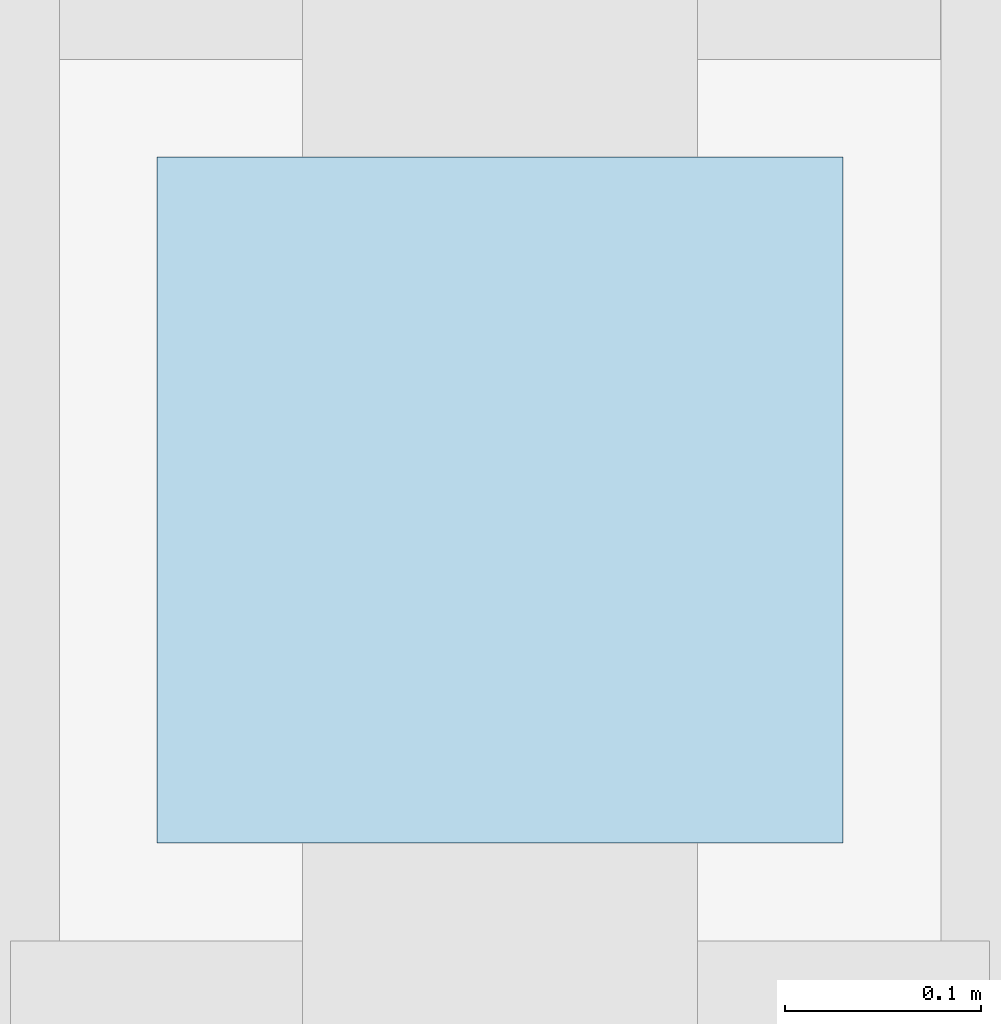
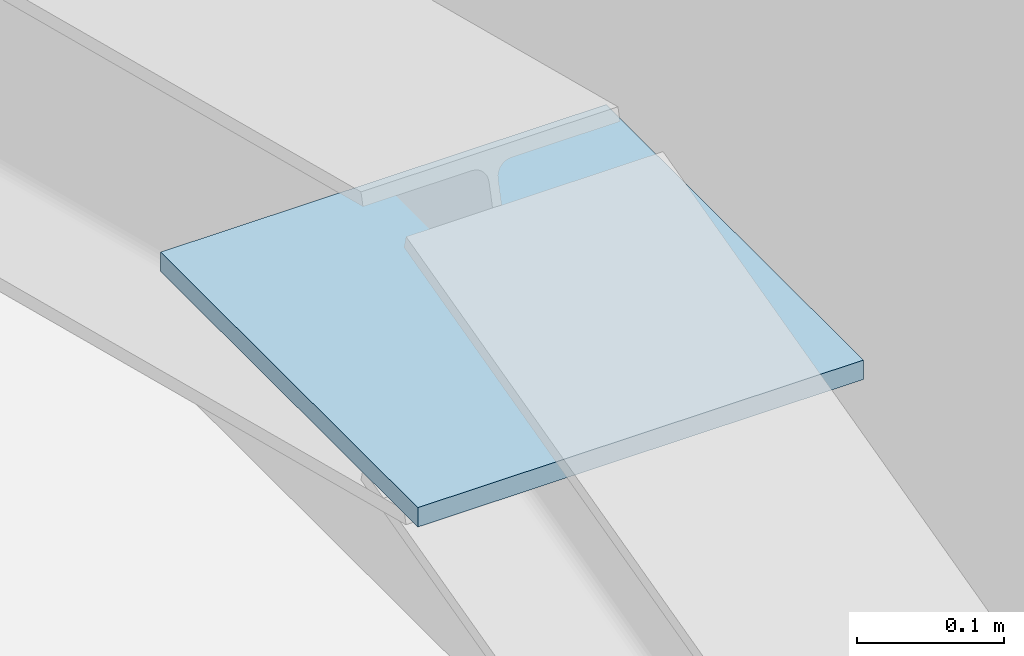
# One storey, part 8 of 17: 1 plate.
"""IFC4 building model written with IfcOpenShell, lengths in metres."""

from ifc_helpers import new_model, si_unit, derived_unit, direction, frame, origin, origin_2d, place, context, subcontext, project, spatial, rectangle, extrude, material, layer, layer_set, type_object, element, save


model = new_model("IFC4")

# Units and contexts
model_context = context("Model", 3, precision=1e-05, world=origin(), true_north=direction((0.0, 1.0)))
body_context = subcontext(model_context, "Body", "Model", "MODEL_VIEW")
ifc_project = project(units=[si_unit("LENGTHUNIT", "METRE"), si_unit("AREAUNIT", "SQUARE_METRE"), si_unit("VOLUMEUNIT", "CUBIC_METRE"), si_unit("PLANEANGLEUNIT", "RADIAN"), si_unit("MASSUNIT", "GRAM", prefix="KILO"), derived_unit("THERMALTRANSMITTANCEUNIT", [(si_unit("POWERUNIT", "WATT"), 1), (si_unit("LENGTHUNIT", "METRE"), -2), (si_unit("THERMODYNAMICTEMPERATUREUNIT", "KELVIN"), -1)])], contexts=[model_context])

# Site, building, storey
site_placement = place(None, origin())
site = spatial("IfcSite", under=ifc_project, at=site_placement, CompositionType="ELEMENT")
building_placement = place(site_placement, origin())
building = spatial("IfcBuilding", under=site, at=building_placement, Name="Barrovel Congress Hotel", CompositionType="ELEMENT")
storey_placement = place(building_placement, frame((0.0, 0.0, 47.10009765625)))
storey = spatial("IfcBuildingStorey", under=building, at=storey_placement, Name="RF", CompositionType="ELEMENT", Elevation=47.10009765625)

# Plate
ifc_material = material(Name="Steel ASTM A992 Grade 50", Category="steel")
ifc_layer = layer(ifc_material, 0.01611328125)
ifc_layer_set = layer_set([ifc_layer], Name="Steel ASTM A992 Grade 50")
plate_type = type_object("IfcPlateType", Name="GP-16", PredefinedType="SHEET", material=ifc_layer_set)
plate_placement = place(storey_placement, frame((25.199951171875, 12.60009765625, 1.99267578125), z_axis=(0.0, 0.0, 1.0), x_axis=(1.0, 0.0, 0.0)))
element("IfcPlate", 1, at=plate_placement, inside=storey, type_object=plate_type, Name="RF-RAF-GP:25.2", PredefinedType="SHEET", context=body_context, shape_type="SweptSolid", body=[
    extrude(rectangle(XDim=0.35009765625, YDim=0.35009765625, at=origin_2d()), origin(), (0.0, 0.0, 1.0), 0.01611328125),
])

save(model, "model.ifc")
